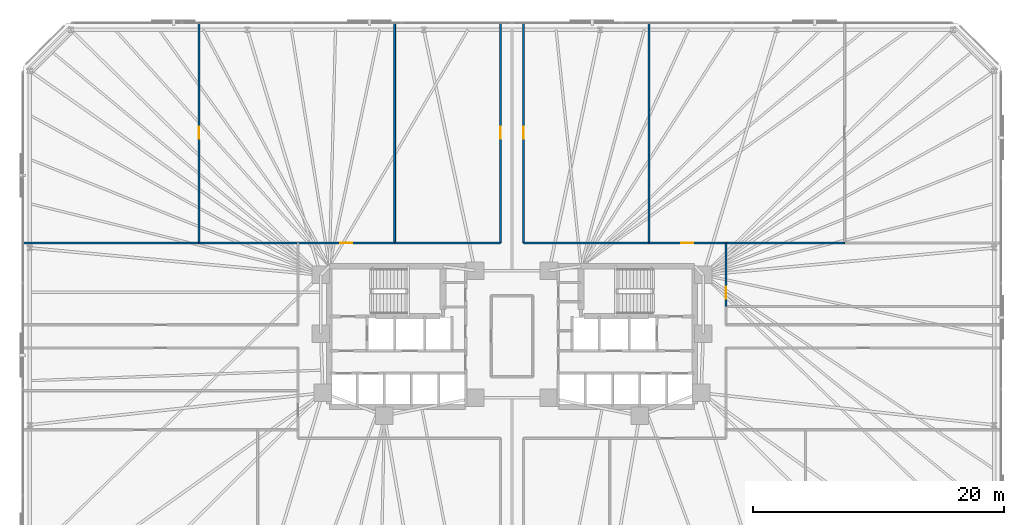
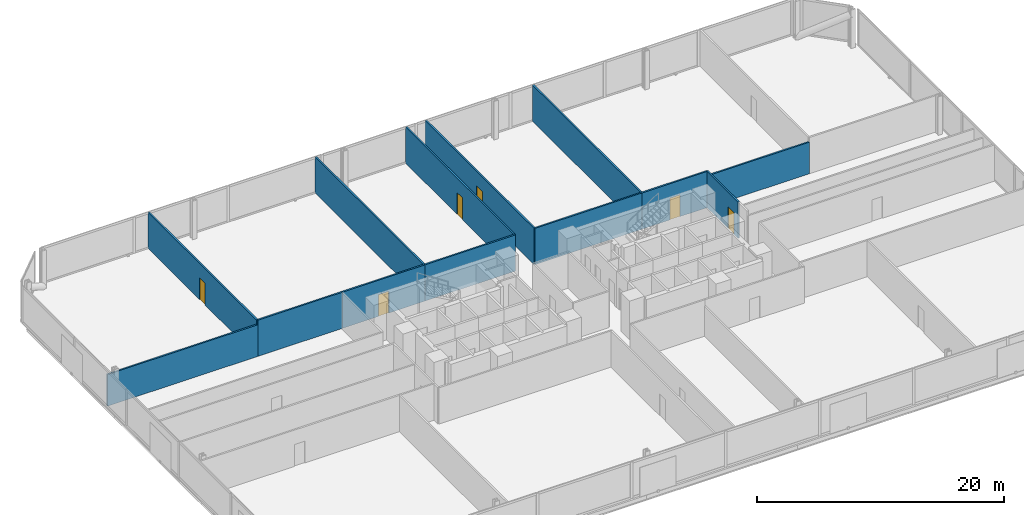
# One storey, part 14 of 17: 13 walls, 6 doors, 6 openings.
"""IFC4 building model written with IfcOpenShell, lengths in metres."""

import ifcopenshell
import ifcopenshell.guid

model = None  # the IFC model being written
_history = None  # IfcOwnerHistory: only IFC2X3 demands one
_inside = {}  # id of a spatial element -> (the spatial element, [elements in it])
_under = {}  # id of a project, library or spatial element -> (it, [spatial elements below it])
_declared = {}  # id of a project -> (the project, [libraries it declares])
_typed = {}  # id of a type object -> (the type object, [elements of that type])
_made_of = {}  # id of a material, layer set ... -> (it, [elements and type objects made of it])


def new_model(schema):
    """Start an empty IFC model of exactly this schema.

    Asked for "IFC4X3", IfcOpenShell would pick the latest addendum, in which some entities
    have other attributes; the version numbers below select the first issue.
    IFC2X3 requires an IfcOwnerHistory on every rooted entity: one is made here for all.
    """
    global model, _history
    if schema == "IFC4X3":
        model = ifcopenshell.file(schema_version=(4, 3, 0, 0))
    else:
        model = ifcopenshell.file(schema=schema)
    _inside.clear()
    _under.clear()
    _declared.clear()
    _typed.clear()
    _made_of.clear()
    _history = None
    if model.schema == "IFC2X3":
        org = make("IfcOrganization", Name="unknown")
        user = make(
            "IfcPersonAndOrganization",
            ThePerson=make("IfcPerson", FamilyName="unknown"),
            TheOrganization=org,
        )
        app = make(
            "IfcApplication",
            ApplicationDeveloper=org,
            Version="unknown",
            ApplicationFullName="unknown",
            ApplicationIdentifier="unknown",
        )
        _history = make(
            "IfcOwnerHistory",
            OwningUser=user,
            OwningApplication=app,
            ChangeAction="ADDED",
            CreationDate=0,
        )
    return model


def make(cls, **values):
    """One entity of the class cls with the attributes given. An attribute that is None is left unset."""
    return model.create_entity(
        cls, **{name: value for name, value in values.items() if value is not None}
    )


def rooted(cls, **values):
    """An entity with a GlobalId (a new one), such as an element, a storey or a relation."""
    return make(cls, GlobalId=ifcopenshell.guid.new(), OwnerHistory=_history, **values)


def si_unit(unit_type, name, prefix=None):
    """IfcSIUnit, for example si_unit("LENGTHUNIT", "METRE", prefix="MILLI")."""
    return make("IfcSIUnit", UnitType=unit_type, Prefix=prefix, Name=name)


def assignment(units):
    """IfcUnitAssignment: the units of a project."""
    return None if units is None else make("IfcUnitAssignment", Units=units)


def point(xyz):
    """IfcCartesianPoint."""
    return None if xyz is None else make("IfcCartesianPoint", Coordinates=xyz)


def direction(xyz):
    """IfcDirection."""
    return None if xyz is None else make("IfcDirection", DirectionRatios=xyz)


def frame(location, z_axis=None, x_axis=None):
    """IfcAxis2Placement3D, a coordinate frame: its origin and axes. An axis left out is left unset."""
    return make(
        "IfcAxis2Placement3D",
        Location=point(location),
        Axis=direction(z_axis),
        RefDirection=direction(x_axis),
    )


def frame_2d(location, x_axis=None):
    """IfcAxis2Placement2D, a coordinate frame in the plane: its origin and x axis."""
    return make(
        "IfcAxis2Placement2D", Location=point(location), RefDirection=direction(x_axis)
    )


def origin():
    """The frame at (0, 0, 0) with its axes left unset."""
    return frame((0.0, 0.0, 0.0))


def place(relative_to, where):
    """IfcLocalPlacement: puts the frame where relative to a parent placement (None: the world)."""
    return make(
        "IfcLocalPlacement", PlacementRelTo=relative_to, RelativePlacement=where
    )


def context(
    kind, dimensions, precision=None, world=None, true_north=None, identifier=None
):
    """IfcGeometricRepresentationContext, for example the 3D "Model" context."""
    return make(
        "IfcGeometricRepresentationContext",
        ContextIdentifier=identifier,
        ContextType=kind,
        CoordinateSpaceDimension=dimensions,
        Precision=precision,
        WorldCoordinateSystem=world,
        TrueNorth=true_north,
    )


def subcontext(parent, identifier, kind, view, scale=None):
    """IfcGeometricRepresentationSubContext, for example "Body" below "Model"."""
    return make(
        "IfcGeometricRepresentationSubContext",
        ContextIdentifier=identifier,
        ContextType=kind,
        ParentContext=parent,
        TargetScale=scale,
        TargetView=view,
    )


def project(units=None, contexts=None):
    """IfcProject with its units and contexts."""
    return rooted(
        "IfcProject",
        Name="project",
        RepresentationContexts=contexts,
        UnitsInContext=assignment(units),
    )


def spatial(cls, under=None, at=None, **own):
    """A site, building, storey or space (cls), placed at a placement, below another one or the project."""
    s = rooted(cls, ObjectPlacement=at, **own)
    if under is not None:
        _under.setdefault(under.id(), (under, []))[1].append(s)
    return s


def profile(cls, at=None, kind="AREA", **sizes):
    """A parametric profile (cls). Its sizes go by their IFC names, for example OverallWidth=200.0."""
    return make(cls, ProfileType=kind, Position=at, **sizes)


def rectangle(**sizes):
    """IfcRectangleProfileDef."""
    return profile("IfcRectangleProfileDef", **sizes)


def extrude(swept, where, along, depth):
    """IfcExtrudedAreaSolid: the profile swept, set in the frame where, extruded along a direction by depth."""
    return make(
        "IfcExtrudedAreaSolid",
        SweptArea=swept,
        Position=where,
        ExtrudedDirection=direction(along),
        Depth=depth,
    )


def shape(context_of_items, identifier, shape_type, items):
    """IfcShapeRepresentation: the items that make up one representation, for example the "Body"."""
    return make(
        "IfcShapeRepresentation",
        ContextOfItems=context_of_items,
        RepresentationIdentifier=identifier,
        RepresentationType=shape_type,
        Items=items,
    )


def material(Name=None, Category=None):
    """IfcMaterial."""
    return make("IfcMaterial", Name=Name, Category=Category)


def layer(
    of_material, thickness, ventilated=None, Name=None, Category=None, Priority=None
):
    """IfcMaterialLayer: one layer of a wall or slab, of a material (None: an air gap)."""
    return make(
        "IfcMaterialLayer",
        Material=of_material,
        LayerThickness=thickness,
        IsVentilated=ventilated,
        Name=Name,
        Category=Category,
        Priority=Priority,
    )


def layer_set(layers, Name=None):
    """IfcMaterialLayerSet."""
    return make("IfcMaterialLayerSet", MaterialLayers=layers, LayerSetName=Name)


def made_of(thing, what):
    """Note that an element or type object is made of a material, layer set ...; save() writes the relation."""
    if what is not None:
        _made_of.setdefault(what.id(), (what, []))[1].append(thing)
    return thing


def type_object(cls, material=None, **own):
    """A type object (cls), such as IfcWallType, which elements share."""
    return made_of(rooted(cls, **own), material)


def element(
    cls,
    number,
    at=None,
    inside=None,
    cuts=None,
    type_object=None,
    material=None,
    context=None,
    identifier="Body",
    shape_type=None,
    held_by="IfcProductDefinitionShape",
    body=None,
    shapes=None,
    **own,
):
    """One element of the class cls, such as IfcWall. Its Tag is "e" and its number.

    at: its placement. inside: the storey or other place that contains it. cuts: it is an
    opening in that element (IfcRelVoidsElement). A single representation is given by context,
    identifier, shape_type and body (its items); several are given by shapes. held_by: the class
    of the entity that holds the representations. save() writes the other relations.
    """
    e = rooted(cls, Tag="e%d" % number, ObjectPlacement=at, **own)
    if body is not None:
        shapes = [shape(context, identifier, shape_type, body)]
    if shapes is not None:
        e.Representation = make(held_by, Representations=shapes)
    if inside is not None:
        _inside.setdefault(inside.id(), (inside, []))[1].append(e)
    if cuts is not None:
        rooted(
            "IfcRelVoidsElement", RelatingBuildingElement=cuts, RelatedOpeningElement=e
        )
    if type_object is not None:
        _typed.setdefault(type_object.id(), (type_object, []))[1].append(e)
    return made_of(e, material)


def fill(opening, filler):
    """IfcRelFillsElement: the door or window that sits in an opening."""
    return rooted(
        "IfcRelFillsElement",
        RelatingOpeningElement=opening,
        RelatedBuildingElement=filler,
    )


def aggregate(whole, parts):
    """IfcRelAggregates: a whole, such as a stair, and the parts it consists of."""
    return rooted("IfcRelAggregates", RelatingObject=whole, RelatedObjects=parts)


def save(model, path):
    """Write the relations noted so far, then the file.

    IfcRelAggregates (storeys below a building ...), IfcRelContainedInSpatialStructure (elements
    in a storey), IfcRelDefinesByType, IfcRelAssociatesMaterial and IfcRelDeclares: one each for
    every whole, place, type object, material and project.
    """
    for whole, parts in _under.values():
        aggregate(whole, parts)
    for where, things in _inside.values():
        rooted(
            "IfcRelContainedInSpatialStructure",
            RelatedElements=things,
            RelatingStructure=where,
        )
    for kind, things in _typed.values():
        rooted("IfcRelDefinesByType", RelatedObjects=things, RelatingType=kind)
    for what, things in _made_of.values():
        rooted("IfcRelAssociatesMaterial", RelatedObjects=things, RelatingMaterial=what)
    for by, libraries in _declared.values():
        rooted("IfcRelDeclares", RelatingContext=by, RelatedDefinitions=libraries)
    model.write(path)


model = new_model("IFC4")

# Units and contexts
model_context = context("Model", 3, precision=1e-05, world=origin(), true_north=direction((0.0, 1.0)))
body_context = subcontext(model_context, "Body", "Model", "MODEL_VIEW")
ifc_project = project(units=[si_unit("LENGTHUNIT", "METRE"), si_unit("AREAUNIT", "SQUARE_METRE"), si_unit("VOLUMEUNIT", "CUBIC_METRE"), si_unit("PLANEANGLEUNIT", "RADIAN"), si_unit("MASSUNIT", "GRAM", prefix="KILO")], contexts=[model_context])

# Site, building, storey
site_placement = place(None, origin())
site = spatial("IfcSite", under=ifc_project, at=site_placement, CompositionType="ELEMENT")
building_placement = place(site_placement, origin())
building = spatial("IfcBuilding", under=site, at=building_placement, Name="Menara Jurai Vektor", CompositionType="ELEMENT")
storey_placement = place(building_placement, frame((0.0, 0.0, 48.39990234375)))
storey = spatial("IfcBuildingStorey", under=building, at=storey_placement, Name="L11", CompositionType="ELEMENT", Elevation=48.39990234375)

# Wall, opening, door
ifc_material_1 = material(Name="Gypsum Fireboard Partition", Category="gypsum")
ifc_layer_1 = layer(ifc_material_1, 0.14990234375)
ifc_layer_set_1 = layer_set([ifc_layer_1], Name="Gypsum Fireboard Partition")
wall_type_1 = type_object("IfcWallType", Name="INT-WALL-CORR-150", PredefinedType="PARTITIONING", material=ifc_layer_set_1)
wall_1_placement = place(storey_placement, frame((-17.05908203125, 7.449951171875, 0.0), z_axis=(0.0, 0.0, 1.0), x_axis=(1.0, 0.0, 0.0)))
wall_1 = element("IfcWall", 1, at=wall_1_placement, inside=storey, type_object=wall_type_1, Name="Interior Wall IW-150 L11", PredefinedType="PARTITIONING", context=body_context, shape_type="SweptSolid", body=[
    extrude(rectangle(XDim=7.698974609375, YDim=0.14990234375, at=frame_2d((3.849609375, 0.0))), origin(), (0.0, 0.0, 1.0), 3.5751953125),
])
opening_1_placement = place(wall_1_placement, frame((3.37451171875, 0.0, 0.0)))
opening_1 = element("IfcOpeningElement", 2, at=opening_1_placement, cuts=wall_1, Name="Opening D11-07", PredefinedType="OPENING", context=body_context, shape_type="SweptSolid", body=[
    extrude(rectangle(XDim=0.949951171875, YDim=2.14990234375, at=frame_2d((0.47509765625, 1.074951171875))), frame((0.0, 0.0849609375, 0.0), z_axis=(0.0, -1.0, 0.0), x_axis=(1.0, 0.0, 0.0)), (0.0, 0.0, 1.0), 0.169921875),
])
ifc_material_2 = material(Name="Solid Core Timber Fire Door", Category="wood")
door_type = type_object("IfcDoorType", Name="DR-ENTRY-950", OperationType="NOTDEFINED", PredefinedType="DOOR", material=ifc_material_2)
door_1_placement = place(opening_1_placement, origin())
door_1 = element("IfcDoor", 3, at=door_1_placement, inside=storey, type_object=door_type, Name="Interior Door D11-07", OperationType="SINGLE_SWING_RIGHT", OverallHeight=2.14990234375, OverallWidth=0.949951171875, PredefinedType="DOOR", context=body_context, shape_type="SweptSolid", body=[
    extrude(rectangle(XDim=0.949951171875, YDim=2.14990234375, at=frame_2d((0.47509765625, 1.074951171875))), frame((0.0, 0.02490234375, 0.0), z_axis=(0.0, -1.0, 0.0), x_axis=(1.0, 0.0, 0.0)), (0.0, 0.0, 1.0), 0.050048828125),
])
fill(opening_1, door_1)

# Wall
wall_2_placement = place(storey_placement, frame((-9.360107421875, 7.449951171875, 0.0), z_axis=(0.0, 0.0, 1.0), x_axis=(1.0, 0.0, 0.0)))
element("IfcWall", 4, at=wall_2_placement, inside=storey, type_object=wall_type_1, Name="Interior Wall IW-150 L11", PredefinedType="PARTITIONING", context=body_context, shape_type="SweptSolid", body=[
    extrude(rectangle(XDim=8.440185546875, YDim=0.14990234375, at=frame_2d((4.22021484375, 0.0))), origin(), (0.0, 0.0, 1.0), 3.5751953125),
])

# Wall, opening, door
wall_3_placement = place(storey_placement, frame((-0.919921875, 7.449951171875, 0.0), z_axis=(0.0, 0.0, 1.0), x_axis=(0.0, 1.0, 0.0)))
wall_3 = element("IfcWall", 5, at=wall_3_placement, inside=storey, type_object=wall_type_1, Name="Interior Wall IW-150 L11", PredefinedType="PARTITIONING", context=body_context, shape_type="SweptSolid", body=[
    extrude(rectangle(XDim=17.550048828125, YDim=0.14990234375, at=frame_2d((8.77490234375, 0.0))), origin(), (0.0, 0.0, 1.0), 3.5751953125),
])
opening_2_placement = place(wall_3_placement, frame((8.300048828125, 0.0, 0.0)))
opening_2 = element("IfcOpeningElement", 6, at=opening_2_placement, cuts=wall_3, Name="Opening D11-08", PredefinedType="OPENING", context=body_context, shape_type="SweptSolid", body=[
    extrude(rectangle(XDim=0.949951171875, YDim=2.14990234375, at=frame_2d((0.47509765625, 1.074951171875))), frame((0.0, 0.0849609375, 0.0), z_axis=(0.0, -1.0, 0.0), x_axis=(1.0, 0.0, 0.0)), (0.0, 0.0, 1.0), 0.169921875),
])
door_2_placement = place(opening_2_placement, origin())
door_2 = element("IfcDoor", 7, at=door_2_placement, inside=storey, type_object=door_type, Name="Interior Door D11-08", OperationType="SINGLE_SWING_LEFT", OverallHeight=2.14990234375, OverallWidth=0.949951171875, PredefinedType="DOOR", context=body_context, shape_type="SweptSolid", body=[
    extrude(rectangle(XDim=0.949951171875, YDim=2.14990234375, at=frame_2d((0.47509765625, 1.074951171875))), frame((0.0, 0.02490234375, 0.0), z_axis=(0.0, -1.0, 0.0), x_axis=(1.0, 0.0, 0.0)), (0.0, 0.0, 1.0), 0.050048828125),
])
fill(opening_2, door_2)

wall_4_placement = place(storey_placement, frame((0.919921875, 7.449951171875, 0.0), z_axis=(0.0, 0.0, 1.0), x_axis=(0.0, 1.0, 0.0)))
wall_4 = element("IfcWall", 8, at=wall_4_placement, inside=storey, type_object=wall_type_1, Name="Interior Wall IW-150 L11", PredefinedType="PARTITIONING", context=body_context, shape_type="SweptSolid", body=[
    extrude(rectangle(XDim=17.550048828125, YDim=0.14990234375, at=frame_2d((8.77490234375, 0.0))), origin(), (0.0, 0.0, 1.0), 3.5751953125),
])
opening_3_placement = place(wall_4_placement, frame((8.300048828125, 0.0, 0.0)))
opening_3 = element("IfcOpeningElement", 9, at=opening_3_placement, cuts=wall_4, Name="Opening D11-09", PredefinedType="OPENING", context=body_context, shape_type="SweptSolid", body=[
    extrude(rectangle(XDim=0.949951171875, YDim=2.14990234375, at=frame_2d((0.47509765625, 1.074951171875))), frame((0.0, 0.0849609375, 0.0), z_axis=(0.0, -1.0, 0.0), x_axis=(1.0, 0.0, 0.0)), (0.0, 0.0, 1.0), 0.169921875),
])
door_3_placement = place(opening_3_placement, origin())
door_3 = element("IfcDoor", 10, at=door_3_placement, inside=storey, type_object=door_type, Name="Interior Door D11-09", OperationType="SINGLE_SWING_RIGHT", OverallHeight=2.14990234375, OverallWidth=0.949951171875, PredefinedType="DOOR", context=body_context, shape_type="SweptSolid", body=[
    extrude(rectangle(XDim=0.949951171875, YDim=2.14990234375, at=frame_2d((0.47509765625, 1.074951171875))), frame((0.0, 0.02490234375, 0.0), z_axis=(0.0, -1.0, 0.0), x_axis=(1.0, 0.0, 0.0)), (0.0, 0.0, 1.0), 0.050048828125),
])
fill(opening_3, door_3)

# Wall
wall_5_placement = place(storey_placement, frame((0.919921875, 7.449951171875, 0.0), z_axis=(0.0, 0.0, 1.0), x_axis=(1.0, 0.0, 0.0)))
element("IfcWall", 11, at=wall_5_placement, inside=storey, type_object=wall_type_1, Name="Interior Wall IW-150 L11", PredefinedType="PARTITIONING", context=body_context, shape_type="SweptSolid", body=[
    extrude(rectangle(XDim=10.0, YDim=0.14990234375, at=frame_2d((5.0, 0.0))), origin(), (0.0, 0.0, 1.0), 3.5751953125),
])

# Wall, opening, door
wall_6_placement = place(storey_placement, frame((10.919921875, 7.449951171875, 0.0), z_axis=(0.0, 0.0, 1.0), x_axis=(1.0, 0.0, 0.0)))
wall_6 = element("IfcWall", 12, at=wall_6_placement, inside=storey, type_object=wall_type_1, Name="Interior Wall IW-150 L11", PredefinedType="PARTITIONING", context=body_context, shape_type="SweptSolid", body=[
    extrude(rectangle(XDim=6.13916015625, YDim=0.14990234375, at=frame_2d((3.069580078125, 0.0))), origin(), (0.0, 0.0, 1.0), 3.5751953125),
])
opening_4_placement = place(wall_6_placement, frame((2.594482421875, 0.0, 0.0)))
opening_4 = element("IfcOpeningElement", 13, at=opening_4_placement, cuts=wall_6, Name="Opening D11-10", PredefinedType="OPENING", context=body_context, shape_type="SweptSolid", body=[
    extrude(rectangle(XDim=0.949951171875, YDim=2.14990234375, at=frame_2d((0.47509765625, 1.074951171875))), frame((0.0, 0.0849609375, 0.0), z_axis=(0.0, -1.0, 0.0), x_axis=(1.0, 0.0, 0.0)), (0.0, 0.0, 1.0), 0.169921875),
])
door_4_placement = place(opening_4_placement, origin())
door_4 = element("IfcDoor", 14, at=door_4_placement, inside=storey, type_object=door_type, Name="Interior Door D11-10", OperationType="SINGLE_SWING_LEFT", OverallHeight=2.14990234375, OverallWidth=0.949951171875, PredefinedType="DOOR", context=body_context, shape_type="SweptSolid", body=[
    extrude(rectangle(XDim=0.949951171875, YDim=2.14990234375, at=frame_2d((0.47509765625, 1.074951171875))), frame((0.0, 0.02490234375, 0.0), z_axis=(0.0, -1.0, 0.0), x_axis=(1.0, 0.0, 0.0)), (0.0, 0.0, 1.0), 0.050048828125),
])
fill(opening_4, door_4)

wall_7_placement = place(storey_placement, frame((17.05908203125, 2.384033203125, 0.0), z_axis=(0.0, 0.0, 1.0), x_axis=(0.0, 1.0, 0.0)))
wall_7 = element("IfcWall", 15, at=wall_7_placement, inside=storey, type_object=wall_type_1, Name="Interior Wall IW-150 L11", PredefinedType="PARTITIONING", context=body_context, shape_type="SweptSolid", body=[
    extrude(rectangle(XDim=5.06591796875, YDim=0.14990234375, at=frame_2d((2.532958984375, 0.0))), origin(), (0.0, 0.0, 1.0), 3.5751953125),
])
opening_5_placement = place(wall_7_placement, frame((0.639404296875, 0.0, 0.0)))
opening_5 = element("IfcOpeningElement", 16, at=opening_5_placement, cuts=wall_7, Name="Opening D11-19", PredefinedType="OPENING", context=body_context, shape_type="SweptSolid", body=[
    extrude(rectangle(XDim=0.949951171875, YDim=2.14990234375, at=frame_2d((0.47509765625, 1.074951171875))), frame((0.0, 0.0849609375, 0.0), z_axis=(0.0, -1.0, 0.0), x_axis=(1.0, 0.0, 0.0)), (0.0, 0.0, 1.0), 0.169921875),
])
door_5_placement = place(opening_5_placement, origin())
door_5 = element("IfcDoor", 17, at=door_5_placement, inside=storey, type_object=door_type, Name="Interior Door D11-19", OperationType="SINGLE_SWING_RIGHT", OverallHeight=2.14990234375, OverallWidth=0.949951171875, PredefinedType="DOOR", context=body_context, shape_type="SweptSolid", body=[
    extrude(rectangle(XDim=0.949951171875, YDim=2.14990234375, at=frame_2d((0.47509765625, 1.074951171875))), frame((0.0, 0.02490234375, 0.0), z_axis=(0.0, -1.0, 0.0), x_axis=(1.0, 0.0, 0.0)), (0.0, 0.0, 1.0), 0.050048828125),
])
fill(opening_5, door_5)

wall_8_placement = place(storey_placement, frame((-24.9599609375, 7.449951171875, 0.0), z_axis=(0.0, 0.0, 1.0), x_axis=(0.0, 1.0, 0.0)))
wall_8 = element("IfcWall", 18, at=wall_8_placement, inside=storey, type_object=wall_type_1, Name="Interior Wall IW-150 L11", PredefinedType="PARTITIONING", context=body_context, shape_type="SweptSolid", body=[
    extrude(rectangle(XDim=17.550048828125, YDim=0.14990234375, at=frame_2d((8.77490234375, 0.0))), origin(), (0.0, 0.0, 1.0), 3.5751953125),
])
opening_6_placement = place(wall_8_placement, frame((8.300048828125, 0.0, 0.0)))
opening_6 = element("IfcOpeningElement", 19, at=opening_6_placement, cuts=wall_8, Name="Opening D11-20", PredefinedType="OPENING", context=body_context, shape_type="SweptSolid", body=[
    extrude(rectangle(XDim=0.949951171875, YDim=2.14990234375, at=frame_2d((0.47509765625, 1.074951171875))), frame((0.0, 0.0849609375, 0.0), z_axis=(0.0, -1.0, 0.0), x_axis=(1.0, 0.0, 0.0)), (0.0, 0.0, 1.0), 0.169921875),
])
door_6_placement = place(opening_6_placement, origin())
door_6 = element("IfcDoor", 20, at=door_6_placement, inside=storey, type_object=door_type, Name="Interior Door D11-20", OperationType="SINGLE_SWING_LEFT", OverallHeight=2.14990234375, OverallWidth=0.949951171875, PredefinedType="DOOR", context=body_context, shape_type="SweptSolid", body=[
    extrude(rectangle(XDim=0.949951171875, YDim=2.14990234375, at=frame_2d((0.47509765625, 1.074951171875))), frame((0.0, 0.02490234375, 0.0), z_axis=(0.0, -1.0, 0.0), x_axis=(1.0, 0.0, 0.0)), (0.0, 0.0, 1.0), 0.050048828125),
])
fill(opening_6, door_6)

# Walls
wall_9_placement = place(storey_placement, frame((-9.360107421875, 7.449951171875, 0.0), z_axis=(0.0, 0.0, 1.0), x_axis=(0.0, 1.0, 0.0)))
element("IfcWall", 21, at=wall_9_placement, inside=storey, type_object=wall_type_1, Name="Interior Wall IW-150 L11", PredefinedType="PARTITIONING", context=body_context, shape_type="SweptSolid", body=[
    extrude(rectangle(XDim=17.550048828125, YDim=0.14990234375, at=frame_2d((8.77490234375, 0.0))), origin(), (0.0, 0.0, 1.0), 3.5751953125),
])
wall_10_placement = place(storey_placement, frame((-24.9599609375, 7.449951171875, 0.0), z_axis=(0.0, 0.0, 1.0), x_axis=(1.0, 0.0, 0.0)))
element("IfcWall", 22, at=wall_10_placement, inside=storey, type_object=wall_type_1, Name="Interior Wall IW-150 L11", PredefinedType="PARTITIONING", context=body_context, shape_type="SweptSolid", body=[
    extrude(rectangle(XDim=7.90087890625, YDim=0.14990234375, at=frame_2d((3.950439453125, 0.0))), origin(), (0.0, 0.0, 1.0), 3.5751953125),
])
wall_11_placement = place(storey_placement, frame((10.919921875, 7.449951171875, 0.0), z_axis=(0.0, 0.0, 1.0), x_axis=(0.0, 1.0, 0.0)))
element("IfcWall", 23, at=wall_11_placement, inside=storey, type_object=wall_type_1, Name="Interior Wall IW-150 L11", PredefinedType="PARTITIONING", context=body_context, shape_type="SweptSolid", body=[
    extrude(rectangle(XDim=17.550048828125, YDim=0.14990234375, at=frame_2d((8.77490234375, 0.0))), origin(), (0.0, 0.0, 1.0), 3.5751953125),
])
ifc_layer_2 = layer(ifc_material_1, 0.14990234375)
ifc_layer_set_2 = layer_set([ifc_layer_2], Name="Gypsum Fireboard Partition")
wall_type_2 = type_object("IfcWallType", Name="INT-WALL-CORR-150-H1", PredefinedType="PARTITIONING", material=ifc_layer_set_2)
wall_12_placement = place(storey_placement, frame((-39.0, 7.449951171875, 0.0), z_axis=(0.0, 0.0, 1.0), x_axis=(1.0, 0.0, 0.0)))
element("IfcWall", 24, at=wall_12_placement, inside=storey, type_object=wall_type_2, Name="Interior Wall IW-150 L11", PredefinedType="PARTITIONING", context=body_context, shape_type="SweptSolid", body=[
    extrude(rectangle(XDim=14.0400390625, YDim=0.14990234375, at=frame_2d((7.02001953125, 0.0))), origin(), (0.0, 0.0, 1.0), 3.125),
])
wall_13_placement = place(storey_placement, frame((17.05908203125, 7.449951171875, 0.0), z_axis=(0.0, 0.0, 1.0), x_axis=(1.0, 0.0, 0.0)))
element("IfcWall", 25, at=wall_13_placement, inside=storey, type_object=wall_type_2, Name="Interior Wall IW-150 L11", PredefinedType="PARTITIONING", context=body_context, shape_type="SweptSolid", body=[
    extrude(rectangle(XDim=9.4609375, YDim=0.14990234375, at=frame_2d((4.73046875, 0.0))), origin(), (0.0, 0.0, 1.0), 3.125),
])

save(model, "model.ifc")
